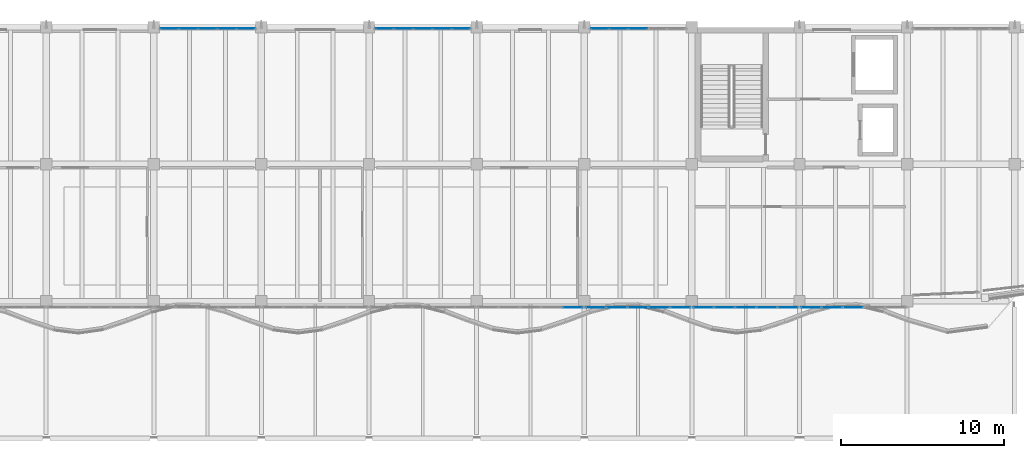
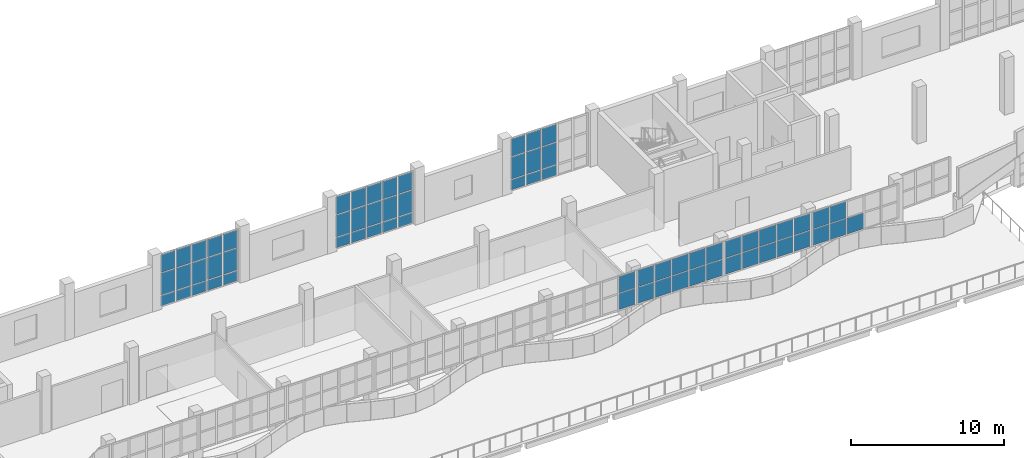
# One storey, part 41 of 83: 66 plates, 7 elements without a shape of their own.
"""IFC4 building model written with IfcOpenShell, lengths in metres."""

from ifc_helpers import new_model, si_unit, direction, frame, origin, origin_2d, place, context, subcontext, project, spatial, rectangle, extrude, material, layer, layer_set, type_object, element, aggregate, save


model = new_model("IFC4")

# Units and contexts
model_context = context("Model", 3, precision=1e-05, world=origin(), true_north=direction((0.0, 1.0)))
body_context = subcontext(model_context, "Body", "Model", "MODEL_VIEW")
ifc_project = project(units=[si_unit("LENGTHUNIT", "METRE"), si_unit("AREAUNIT", "SQUARE_METRE"), si_unit("VOLUMEUNIT", "CUBIC_METRE"), si_unit("PLANEANGLEUNIT", "RADIAN"), si_unit("MASSUNIT", "GRAM", prefix="KILO")], contexts=[model_context])

# Site, building, storey
site_placement = place(None, origin())
site = spatial("IfcSite", under=ifc_project, at=site_placement, CompositionType="ELEMENT")
building_placement = place(site_placement, origin())
building = spatial("IfcBuilding", under=site, at=building_placement, Name="Qaldarim Faculty of Natural and Applied Sciences", CompositionType="ELEMENT")
storey_placement = place(building_placement, frame((0.0, 0.0, 5.39990234375)))
storey = spatial("IfcBuildingStorey", under=building, at=storey_placement, Name="L01", CompositionType="ELEMENT", Elevation=5.39990234375)

# Curtain wall, plates
ifc_material_1 = material(Name="Anodised aluminium AW-6063", Category="aluminium")
curtain_wall_type_1 = type_object("IfcCurtainWallType", Name="CurtainWallSystem-M1200", PredefinedType="USERDEFINED", material=ifc_material_1)
curtain_wall_1_placement = place(storey_placement, origin())
curtain_wall_1 = element("IfcCurtainWall", 1, at=curtain_wall_1_placement, inside=storey, type_object=curtain_wall_type_1, Name="Curtain wall CW-L01-N-X11Y14", ObjectType="STICK CURTAIN WALL", PredefinedType="USERDEFINED")
ifc_material_2 = material(Name="Insulated low-e double glazing", Category="glass")
ifc_layer_1 = layer(ifc_material_2, 0.031982421875)
ifc_layer_set_1 = layer_set([ifc_layer_1], Name="Insulated low-e double glazing")
plate_type_1 = type_object("IfcPlateType", Name="SolarControlGlazingPanel-32", PredefinedType="CURTAIN_PANEL", material=ifc_layer_set_1)
plate_1_placement = place(storey_placement, frame((71.646484375, 117.52001953125, 0.070068359375), z_axis=(0.0, 0.0, 1.0), x_axis=(-1.0, 0.0, 0.0)))
plate_1 = element("IfcPlate", 2, at=plate_1_placement, type_object=plate_type_1, Name="Glazed panel 1-1 of CW-L01-N-X11Y14", PredefinedType="CURTAIN_PANEL", context=body_context, shape_type="SweptSolid", body=[
    extrude(rectangle(XDim=1.076904296875, YDim=0.031982421875, at=origin_2d()), origin(), (0.0, 0.0, 1.0), 0.794921875),
])
plate_2_placement = place(storey_placement, frame((71.646484375, 117.52001953125, 0.93505859375), z_axis=(0.0, 0.0, 1.0), x_axis=(-1.0, 0.0, 0.0)))
plate_2 = element("IfcPlate", 3, at=plate_2_placement, type_object=plate_type_1, Name="Glazed panel 1-2 of CW-L01-N-X11Y14", PredefinedType="CURTAIN_PANEL", context=body_context, shape_type="SweptSolid", body=[
    extrude(rectangle(XDim=1.076904296875, YDim=0.031982421875, at=origin_2d()), origin(), (0.0, 0.0, 1.0), 1.72998046875),
])
plate_3_placement = place(storey_placement, frame((71.646484375, 117.52001953125, 2.735107421875), z_axis=(0.0, 0.0, 1.0), x_axis=(-1.0, 0.0, 0.0)))
plate_3 = element("IfcPlate", 4, at=plate_3_placement, type_object=plate_type_1, Name="Glazed panel 1-3 of CW-L01-N-X11Y14", PredefinedType="CURTAIN_PANEL", context=body_context, shape_type="SweptSolid", body=[
    extrude(rectangle(XDim=1.076904296875, YDim=0.031982421875, at=origin_2d()), origin(), (0.0, 0.0, 1.0), 1.39501953125),
])
plate_4_placement = place(storey_placement, frame((70.48193359375, 117.52001953125, 0.070068359375), z_axis=(0.0, 0.0, 1.0), x_axis=(-1.0, 0.0, 0.0)))
plate_4 = element("IfcPlate", 5, at=plate_4_placement, type_object=plate_type_1, Name="Glazed panel 2-1 of CW-L01-N-X11Y14", PredefinedType="CURTAIN_PANEL", context=body_context, shape_type="SweptSolid", body=[
    extrude(rectangle(XDim=1.112060546875, YDim=0.031982421875, at=origin_2d()), origin(), (0.0, 0.0, 1.0), 0.794921875),
])
plate_5_placement = place(storey_placement, frame((70.48193359375, 117.52001953125, 0.93505859375), z_axis=(0.0, 0.0, 1.0), x_axis=(-1.0, 0.0, 0.0)))
plate_5 = element("IfcPlate", 6, at=plate_5_placement, type_object=plate_type_1, Name="Glazed panel 2-2 of CW-L01-N-X11Y14", PredefinedType="CURTAIN_PANEL", context=body_context, shape_type="SweptSolid", body=[
    extrude(rectangle(XDim=1.112060546875, YDim=0.031982421875, at=origin_2d()), origin(), (0.0, 0.0, 1.0), 1.72998046875),
])
plate_6_placement = place(storey_placement, frame((70.48193359375, 117.52001953125, 2.735107421875), z_axis=(0.0, 0.0, 1.0), x_axis=(-1.0, 0.0, 0.0)))
plate_6 = element("IfcPlate", 7, at=plate_6_placement, type_object=plate_type_1, Name="Glazed panel 2-3 of CW-L01-N-X11Y14", PredefinedType="CURTAIN_PANEL", context=body_context, shape_type="SweptSolid", body=[
    extrude(rectangle(XDim=1.112060546875, YDim=0.031982421875, at=origin_2d()), origin(), (0.0, 0.0, 1.0), 1.39501953125),
])
plate_7_placement = place(storey_placement, frame((69.300048828125, 117.52001953125, 0.070068359375), z_axis=(0.0, 0.0, 1.0), x_axis=(-1.0, 0.0, 0.0)))
plate_7 = element("IfcPlate", 8, at=plate_7_placement, type_object=plate_type_1, Name="Glazed panel 3-1 of CW-L01-N-X11Y14", PredefinedType="CURTAIN_PANEL", context=body_context, shape_type="SweptSolid", body=[
    extrude(rectangle(XDim=1.112060546875, YDim=0.031982421875, at=origin_2d()), origin(), (0.0, 0.0, 1.0), 0.794921875),
])
plate_8_placement = place(storey_placement, frame((69.300048828125, 117.52001953125, 0.93505859375), z_axis=(0.0, 0.0, 1.0), x_axis=(-1.0, 0.0, 0.0)))
plate_8 = element("IfcPlate", 9, at=plate_8_placement, type_object=plate_type_1, Name="Glazed panel 3-2 of CW-L01-N-X11Y14", PredefinedType="CURTAIN_PANEL", context=body_context, shape_type="SweptSolid", body=[
    extrude(rectangle(XDim=1.112060546875, YDim=0.031982421875, at=origin_2d()), origin(), (0.0, 0.0, 1.0), 1.72998046875),
])
plate_9_placement = place(storey_placement, frame((69.300048828125, 117.52001953125, 2.735107421875), z_axis=(0.0, 0.0, 1.0), x_axis=(-1.0, 0.0, 0.0)))
plate_9 = element("IfcPlate", 10, at=plate_9_placement, type_object=plate_type_1, Name="Glazed panel 3-3 of CW-L01-N-X11Y14", PredefinedType="CURTAIN_PANEL", context=body_context, shape_type="SweptSolid", body=[
    extrude(rectangle(XDim=1.112060546875, YDim=0.031982421875, at=origin_2d()), origin(), (0.0, 0.0, 1.0), 1.39501953125),
])
plate_10_placement = place(storey_placement, frame((68.117919921875, 117.52001953125, 0.070068359375), z_axis=(0.0, 0.0, 1.0), x_axis=(-1.0, 0.0, 0.0)))
plate_10 = element("IfcPlate", 11, at=plate_10_placement, type_object=plate_type_1, Name="Glazed panel 4-1 of CW-L01-N-X11Y14", PredefinedType="CURTAIN_PANEL", context=body_context, shape_type="SweptSolid", body=[
    extrude(rectangle(XDim=1.112060546875, YDim=0.031982421875, at=origin_2d()), origin(), (0.0, 0.0, 1.0), 0.794921875),
])
plate_11_placement = place(storey_placement, frame((68.117919921875, 117.52001953125, 0.93505859375), z_axis=(0.0, 0.0, 1.0), x_axis=(-1.0, 0.0, 0.0)))
plate_11 = element("IfcPlate", 12, at=plate_11_placement, type_object=plate_type_1, Name="Glazed panel 4-2 of CW-L01-N-X11Y14", PredefinedType="CURTAIN_PANEL", context=body_context, shape_type="SweptSolid", body=[
    extrude(rectangle(XDim=1.112060546875, YDim=0.031982421875, at=origin_2d()), origin(), (0.0, 0.0, 1.0), 1.72998046875),
])
plate_12_placement = place(storey_placement, frame((68.117919921875, 117.52001953125, 2.735107421875), z_axis=(0.0, 0.0, 1.0), x_axis=(-1.0, 0.0, 0.0)))
plate_12 = element("IfcPlate", 13, at=plate_12_placement, type_object=plate_type_1, Name="Glazed panel 4-3 of CW-L01-N-X11Y14", PredefinedType="CURTAIN_PANEL", context=body_context, shape_type="SweptSolid", body=[
    extrude(rectangle(XDim=1.112060546875, YDim=0.031982421875, at=origin_2d()), origin(), (0.0, 0.0, 1.0), 1.39501953125),
])
plate_13_placement = place(storey_placement, frame((66.95361328125, 117.52001953125, 0.070068359375), z_axis=(0.0, 0.0, 1.0), x_axis=(-1.0, 0.0, 0.0)))
plate_13 = element("IfcPlate", 14, at=plate_13_placement, type_object=plate_type_1, Name="Glazed panel 5-1 of CW-L01-N-X11Y14", PredefinedType="CURTAIN_PANEL", context=body_context, shape_type="SweptSolid", body=[
    extrude(rectangle(XDim=1.076904296875, YDim=0.031982421875, at=origin_2d()), origin(), (0.0, 0.0, 1.0), 0.794921875),
])
plate_14_placement = place(storey_placement, frame((66.95361328125, 117.52001953125, 0.93505859375), z_axis=(0.0, 0.0, 1.0), x_axis=(-1.0, 0.0, 0.0)))
plate_14 = element("IfcPlate", 15, at=plate_14_placement, type_object=plate_type_1, Name="Glazed panel 5-2 of CW-L01-N-X11Y14", PredefinedType="CURTAIN_PANEL", context=body_context, shape_type="SweptSolid", body=[
    extrude(rectangle(XDim=1.076904296875, YDim=0.031982421875, at=origin_2d()), origin(), (0.0, 0.0, 1.0), 1.72998046875),
])
plate_15_placement = place(storey_placement, frame((66.95361328125, 117.52001953125, 2.735107421875), z_axis=(0.0, 0.0, 1.0), x_axis=(-1.0, 0.0, 0.0)))
plate_15 = element("IfcPlate", 16, at=plate_15_placement, type_object=plate_type_1, Name="Glazed panel 5-3 of CW-L01-N-X11Y14", PredefinedType="CURTAIN_PANEL", context=body_context, shape_type="SweptSolid", body=[
    extrude(rectangle(XDim=1.076904296875, YDim=0.031982421875, at=origin_2d()), origin(), (0.0, 0.0, 1.0), 1.39501953125),
])
aggregate(curtain_wall_1, [plate_1, plate_2, plate_3, plate_4, plate_5, plate_6, plate_7, plate_8, plate_9, plate_10, plate_11, plate_12, plate_13, plate_14, plate_15])

curtain_wall_2_placement = place(storey_placement, origin())
curtain_wall_2 = element("IfcCurtainWall", 17, at=curtain_wall_2_placement, inside=storey, type_object=curtain_wall_type_1, Name="Curtain wall CW-L01-N-X13Y14", ObjectType="STICK CURTAIN WALL", PredefinedType="USERDEFINED")
plate_16_placement = place(storey_placement, frame((84.846435546875, 117.52001953125, 0.070068359375), z_axis=(0.0, 0.0, 1.0), x_axis=(-1.0, 0.0, 0.0)))
plate_16 = element("IfcPlate", 18, at=plate_16_placement, type_object=plate_type_1, Name="Glazed panel 1-1 of CW-L01-N-X13Y14", PredefinedType="CURTAIN_PANEL", context=body_context, shape_type="SweptSolid", body=[
    extrude(rectangle(XDim=1.076904296875, YDim=0.031982421875, at=origin_2d()), origin(), (0.0, 0.0, 1.0), 0.794921875),
])
plate_17_placement = place(storey_placement, frame((84.846435546875, 117.52001953125, 0.93505859375), z_axis=(0.0, 0.0, 1.0), x_axis=(-1.0, 0.0, 0.0)))
plate_17 = element("IfcPlate", 19, at=plate_17_placement, type_object=plate_type_1, Name="Glazed panel 1-2 of CW-L01-N-X13Y14", PredefinedType="CURTAIN_PANEL", context=body_context, shape_type="SweptSolid", body=[
    extrude(rectangle(XDim=1.076904296875, YDim=0.031982421875, at=origin_2d()), origin(), (0.0, 0.0, 1.0), 1.72998046875),
])
plate_18_placement = place(storey_placement, frame((84.846435546875, 117.52001953125, 2.735107421875), z_axis=(0.0, 0.0, 1.0), x_axis=(-1.0, 0.0, 0.0)))
plate_18 = element("IfcPlate", 20, at=plate_18_placement, type_object=plate_type_1, Name="Glazed panel 1-3 of CW-L01-N-X13Y14", PredefinedType="CURTAIN_PANEL", context=body_context, shape_type="SweptSolid", body=[
    extrude(rectangle(XDim=1.076904296875, YDim=0.031982421875, at=origin_2d()), origin(), (0.0, 0.0, 1.0), 1.39501953125),
])
plate_19_placement = place(storey_placement, frame((83.681884765625, 117.52001953125, 0.070068359375), z_axis=(0.0, 0.0, 1.0), x_axis=(-1.0, 0.0, 0.0)))
plate_19 = element("IfcPlate", 21, at=plate_19_placement, type_object=plate_type_1, Name="Glazed panel 2-1 of CW-L01-N-X13Y14", PredefinedType="CURTAIN_PANEL", context=body_context, shape_type="SweptSolid", body=[
    extrude(rectangle(XDim=1.112060546875, YDim=0.031982421875, at=origin_2d()), origin(), (0.0, 0.0, 1.0), 0.794921875),
])
plate_20_placement = place(storey_placement, frame((83.681884765625, 117.52001953125, 0.93505859375), z_axis=(0.0, 0.0, 1.0), x_axis=(-1.0, 0.0, 0.0)))
plate_20 = element("IfcPlate", 22, at=plate_20_placement, type_object=plate_type_1, Name="Glazed panel 2-2 of CW-L01-N-X13Y14", PredefinedType="CURTAIN_PANEL", context=body_context, shape_type="SweptSolid", body=[
    extrude(rectangle(XDim=1.112060546875, YDim=0.031982421875, at=origin_2d()), origin(), (0.0, 0.0, 1.0), 1.72998046875),
])
plate_21_placement = place(storey_placement, frame((83.681884765625, 117.52001953125, 2.735107421875), z_axis=(0.0, 0.0, 1.0), x_axis=(-1.0, 0.0, 0.0)))
plate_21 = element("IfcPlate", 23, at=plate_21_placement, type_object=plate_type_1, Name="Glazed panel 2-3 of CW-L01-N-X13Y14", PredefinedType="CURTAIN_PANEL", context=body_context, shape_type="SweptSolid", body=[
    extrude(rectangle(XDim=1.112060546875, YDim=0.031982421875, at=origin_2d()), origin(), (0.0, 0.0, 1.0), 1.39501953125),
])
plate_22_placement = place(storey_placement, frame((82.5, 117.52001953125, 0.070068359375), z_axis=(0.0, 0.0, 1.0), x_axis=(-1.0, 0.0, 0.0)))
plate_22 = element("IfcPlate", 24, at=plate_22_placement, type_object=plate_type_1, Name="Glazed panel 3-1 of CW-L01-N-X13Y14", PredefinedType="CURTAIN_PANEL", context=body_context, shape_type="SweptSolid", body=[
    extrude(rectangle(XDim=1.112060546875, YDim=0.031982421875, at=origin_2d()), origin(), (0.0, 0.0, 1.0), 0.794921875),
])
plate_23_placement = place(storey_placement, frame((82.5, 117.52001953125, 0.93505859375), z_axis=(0.0, 0.0, 1.0), x_axis=(-1.0, 0.0, 0.0)))
plate_23 = element("IfcPlate", 25, at=plate_23_placement, type_object=plate_type_1, Name="Glazed panel 3-2 of CW-L01-N-X13Y14", PredefinedType="CURTAIN_PANEL", context=body_context, shape_type="SweptSolid", body=[
    extrude(rectangle(XDim=1.112060546875, YDim=0.031982421875, at=origin_2d()), origin(), (0.0, 0.0, 1.0), 1.72998046875),
])
plate_24_placement = place(storey_placement, frame((82.5, 117.52001953125, 2.735107421875), z_axis=(0.0, 0.0, 1.0), x_axis=(-1.0, 0.0, 0.0)))
plate_24 = element("IfcPlate", 26, at=plate_24_placement, type_object=plate_type_1, Name="Glazed panel 3-3 of CW-L01-N-X13Y14", PredefinedType="CURTAIN_PANEL", context=body_context, shape_type="SweptSolid", body=[
    extrude(rectangle(XDim=1.112060546875, YDim=0.031982421875, at=origin_2d()), origin(), (0.0, 0.0, 1.0), 1.39501953125),
])
plate_25_placement = place(storey_placement, frame((81.318115234375, 117.52001953125, 0.070068359375), z_axis=(0.0, 0.0, 1.0), x_axis=(-1.0, 0.0, 0.0)))
plate_25 = element("IfcPlate", 27, at=plate_25_placement, type_object=plate_type_1, Name="Glazed panel 4-1 of CW-L01-N-X13Y14", PredefinedType="CURTAIN_PANEL", context=body_context, shape_type="SweptSolid", body=[
    extrude(rectangle(XDim=1.112060546875, YDim=0.031982421875, at=origin_2d()), origin(), (0.0, 0.0, 1.0), 0.794921875),
])
plate_26_placement = place(storey_placement, frame((81.318115234375, 117.52001953125, 0.93505859375), z_axis=(0.0, 0.0, 1.0), x_axis=(-1.0, 0.0, 0.0)))
plate_26 = element("IfcPlate", 28, at=plate_26_placement, type_object=plate_type_1, Name="Glazed panel 4-2 of CW-L01-N-X13Y14", PredefinedType="CURTAIN_PANEL", context=body_context, shape_type="SweptSolid", body=[
    extrude(rectangle(XDim=1.112060546875, YDim=0.031982421875, at=origin_2d()), origin(), (0.0, 0.0, 1.0), 1.72998046875),
])
plate_27_placement = place(storey_placement, frame((81.318115234375, 117.52001953125, 2.735107421875), z_axis=(0.0, 0.0, 1.0), x_axis=(-1.0, 0.0, 0.0)))
plate_27 = element("IfcPlate", 29, at=plate_27_placement, type_object=plate_type_1, Name="Glazed panel 4-3 of CW-L01-N-X13Y14", PredefinedType="CURTAIN_PANEL", context=body_context, shape_type="SweptSolid", body=[
    extrude(rectangle(XDim=1.112060546875, YDim=0.031982421875, at=origin_2d()), origin(), (0.0, 0.0, 1.0), 1.39501953125),
])
plate_28_placement = place(storey_placement, frame((80.153564453125, 117.52001953125, 0.070068359375), z_axis=(0.0, 0.0, 1.0), x_axis=(-1.0, 0.0, 0.0)))
plate_28 = element("IfcPlate", 30, at=plate_28_placement, type_object=plate_type_1, Name="Glazed panel 5-1 of CW-L01-N-X13Y14", PredefinedType="CURTAIN_PANEL", context=body_context, shape_type="SweptSolid", body=[
    extrude(rectangle(XDim=1.076904296875, YDim=0.031982421875, at=origin_2d()), origin(), (0.0, 0.0, 1.0), 0.794921875),
])
plate_29_placement = place(storey_placement, frame((80.153564453125, 117.52001953125, 0.93505859375), z_axis=(0.0, 0.0, 1.0), x_axis=(-1.0, 0.0, 0.0)))
plate_29 = element("IfcPlate", 31, at=plate_29_placement, type_object=plate_type_1, Name="Glazed panel 5-2 of CW-L01-N-X13Y14", PredefinedType="CURTAIN_PANEL", context=body_context, shape_type="SweptSolid", body=[
    extrude(rectangle(XDim=1.076904296875, YDim=0.031982421875, at=origin_2d()), origin(), (0.0, 0.0, 1.0), 1.72998046875),
])
plate_30_placement = place(storey_placement, frame((80.153564453125, 117.52001953125, 2.735107421875), z_axis=(0.0, 0.0, 1.0), x_axis=(-1.0, 0.0, 0.0)))
plate_30 = element("IfcPlate", 32, at=plate_30_placement, type_object=plate_type_1, Name="Glazed panel 5-3 of CW-L01-N-X13Y14", PredefinedType="CURTAIN_PANEL", context=body_context, shape_type="SweptSolid", body=[
    extrude(rectangle(XDim=1.076904296875, YDim=0.031982421875, at=origin_2d()), origin(), (0.0, 0.0, 1.0), 1.39501953125),
])
aggregate(curtain_wall_2, [plate_16, plate_17, plate_18, plate_19, plate_20, plate_21, plate_22, plate_23, plate_24, plate_25, plate_26, plate_27, plate_28, plate_29, plate_30])

curtain_wall_3_placement = place(storey_placement, origin())
curtain_wall_3 = element("IfcCurtainWall", 33, at=curtain_wall_3_placement, inside=storey, type_object=curtain_wall_type_1, Name="Curtain wall CW-L01-N-X15Y14", ObjectType="STICK CURTAIN WALL", PredefinedType="USERDEFINED")
plate_31_placement = place(storey_placement, frame((95.699951171875, 117.52001953125, 0.070068359375), z_axis=(0.0, 0.0, 1.0), x_axis=(-1.0, 0.0, 0.0)))
plate_31 = element("IfcPlate", 34, at=plate_31_placement, type_object=plate_type_1, Name="Glazed panel 3-1 of CW-L01-N-X15Y14", PredefinedType="CURTAIN_PANEL", context=body_context, shape_type="SweptSolid", body=[
    extrude(rectangle(XDim=1.112060546875, YDim=0.031982421875, at=origin_2d()), origin(), (0.0, 0.0, 1.0), 0.794921875),
])
plate_32_placement = place(storey_placement, frame((95.699951171875, 117.52001953125, 0.93505859375), z_axis=(0.0, 0.0, 1.0), x_axis=(-1.0, 0.0, 0.0)))
plate_32 = element("IfcPlate", 35, at=plate_32_placement, type_object=plate_type_1, Name="Glazed panel 3-2 of CW-L01-N-X15Y14", PredefinedType="CURTAIN_PANEL", context=body_context, shape_type="SweptSolid", body=[
    extrude(rectangle(XDim=1.112060546875, YDim=0.031982421875, at=origin_2d()), origin(), (0.0, 0.0, 1.0), 1.72998046875),
])
plate_33_placement = place(storey_placement, frame((95.699951171875, 117.52001953125, 2.735107421875), z_axis=(0.0, 0.0, 1.0), x_axis=(-1.0, 0.0, 0.0)))
plate_33 = element("IfcPlate", 36, at=plate_33_placement, type_object=plate_type_1, Name="Glazed panel 3-3 of CW-L01-N-X15Y14", PredefinedType="CURTAIN_PANEL", context=body_context, shape_type="SweptSolid", body=[
    extrude(rectangle(XDim=1.112060546875, YDim=0.031982421875, at=origin_2d()), origin(), (0.0, 0.0, 1.0), 1.39501953125),
])
plate_34_placement = place(storey_placement, frame((94.51806640625, 117.52001953125, 0.070068359375), z_axis=(0.0, 0.0, 1.0), x_axis=(-1.0, 0.0, 0.0)))
plate_34 = element("IfcPlate", 37, at=plate_34_placement, type_object=plate_type_1, Name="Glazed panel 4-1 of CW-L01-N-X15Y14", PredefinedType="CURTAIN_PANEL", context=body_context, shape_type="SweptSolid", body=[
    extrude(rectangle(XDim=1.112060546875, YDim=0.031982421875, at=origin_2d()), origin(), (0.0, 0.0, 1.0), 0.794921875),
])
plate_35_placement = place(storey_placement, frame((94.51806640625, 117.52001953125, 0.93505859375), z_axis=(0.0, 0.0, 1.0), x_axis=(-1.0, 0.0, 0.0)))
plate_35 = element("IfcPlate", 38, at=plate_35_placement, type_object=plate_type_1, Name="Glazed panel 4-2 of CW-L01-N-X15Y14", PredefinedType="CURTAIN_PANEL", context=body_context, shape_type="SweptSolid", body=[
    extrude(rectangle(XDim=1.112060546875, YDim=0.031982421875, at=origin_2d()), origin(), (0.0, 0.0, 1.0), 1.72998046875),
])
plate_36_placement = place(storey_placement, frame((94.51806640625, 117.52001953125, 2.735107421875), z_axis=(0.0, 0.0, 1.0), x_axis=(-1.0, 0.0, 0.0)))
plate_36 = element("IfcPlate", 39, at=plate_36_placement, type_object=plate_type_1, Name="Glazed panel 4-3 of CW-L01-N-X15Y14", PredefinedType="CURTAIN_PANEL", context=body_context, shape_type="SweptSolid", body=[
    extrude(rectangle(XDim=1.112060546875, YDim=0.031982421875, at=origin_2d()), origin(), (0.0, 0.0, 1.0), 1.39501953125),
])
plate_37_placement = place(storey_placement, frame((93.353515625, 117.52001953125, 0.070068359375), z_axis=(0.0, 0.0, 1.0), x_axis=(-1.0, 0.0, 0.0)))
plate_37 = element("IfcPlate", 40, at=plate_37_placement, type_object=plate_type_1, Name="Glazed panel 5-1 of CW-L01-N-X15Y14", PredefinedType="CURTAIN_PANEL", context=body_context, shape_type="SweptSolid", body=[
    extrude(rectangle(XDim=1.076904296875, YDim=0.031982421875, at=origin_2d()), origin(), (0.0, 0.0, 1.0), 0.794921875),
])
plate_38_placement = place(storey_placement, frame((93.353515625, 117.52001953125, 0.93505859375), z_axis=(0.0, 0.0, 1.0), x_axis=(-1.0, 0.0, 0.0)))
plate_38 = element("IfcPlate", 41, at=plate_38_placement, type_object=plate_type_1, Name="Glazed panel 5-2 of CW-L01-N-X15Y14", PredefinedType="CURTAIN_PANEL", context=body_context, shape_type="SweptSolid", body=[
    extrude(rectangle(XDim=1.076904296875, YDim=0.031982421875, at=origin_2d()), origin(), (0.0, 0.0, 1.0), 1.72998046875),
])
plate_39_placement = place(storey_placement, frame((93.353515625, 117.52001953125, 2.735107421875), z_axis=(0.0, 0.0, 1.0), x_axis=(-1.0, 0.0, 0.0)))
plate_39 = element("IfcPlate", 42, at=plate_39_placement, type_object=plate_type_1, Name="Glazed panel 5-3 of CW-L01-N-X15Y14", PredefinedType="CURTAIN_PANEL", context=body_context, shape_type="SweptSolid", body=[
    extrude(rectangle(XDim=1.076904296875, YDim=0.031982421875, at=origin_2d()), origin(), (0.0, 0.0, 1.0), 1.39501953125),
])
aggregate(curtain_wall_3, [plate_31, plate_32, plate_33, plate_34, plate_35, plate_36, plate_37, plate_38, plate_39])

curtain_wall_type_2 = type_object("IfcCurtainWallType", Name="CurtainWallSystem-M1400", PredefinedType="USERDEFINED", material=ifc_material_1)
curtain_wall_4_placement = place(storey_placement, origin())
curtain_wall_4 = element("IfcCurtainWall", 43, at=curtain_wall_4_placement, inside=storey, type_object=curtain_wall_type_2, Name="Curtain wall CW-V4RIB-L01-X14", ObjectType="STICK CURTAIN WALL", PredefinedType="USERDEFINED")
ifc_layer_2 = layer(ifc_material_2, 0.028076171875)
ifc_layer_set_2 = layer_set([ifc_layer_2], Name="Insulated low-e double glazing")
plate_type_2 = type_object("IfcPlateType", Name="VisionGlazingPanel-28", PredefinedType="CURTAIN_PANEL", material=ifc_layer_set_2)
plate_40_placement = place(storey_placement, frame((91.693115234375, 100.419921875, 1.51025390625), z_axis=(0.0, 0.0, 1.0), x_axis=(1.0, 0.0, 0.0)))
plate_40 = element("IfcPlate", 44, at=plate_40_placement, type_object=plate_type_2, Name="Glazed panel 5-1 of CW-V4RIB-L01-X14", PredefinedType="CURTAIN_PANEL", context=body_context, shape_type="SweptSolid", body=[
    extrude(rectangle(XDim=1.214111328125, YDim=0.028076171875, at=origin_2d()), origin(), (0.0, 0.0, 1.0), 1.260009765625),
])
plate_41_placement = place(storey_placement, frame((91.693115234375, 100.419921875, 2.830078125), z_axis=(0.0, 0.0, 1.0), x_axis=(1.0, 0.0, 0.0)))
plate_41 = element("IfcPlate", 45, at=plate_41_placement, type_object=plate_type_2, Name="Glazed panel 5-2 of CW-V4RIB-L01-X14", PredefinedType="CURTAIN_PANEL", context=body_context, shape_type="SweptSolid", body=[
    extrude(rectangle(XDim=1.214111328125, YDim=0.028076171875, at=origin_2d()), origin(), (0.0, 0.0, 1.0), 1.31005859375),
])
aggregate(curtain_wall_4, [plate_40, plate_41])

curtain_wall_5_placement = place(storey_placement, origin())
curtain_wall_5 = element("IfcCurtainWall", 46, at=curtain_wall_5_placement, inside=storey, type_object=curtain_wall_type_2, Name="Curtain wall CW-V4RIB-L01-X15", ObjectType="STICK CURTAIN WALL", PredefinedType="USERDEFINED")
plate_42_placement = place(storey_placement, frame((93.10693359375, 100.419921875, 1.51025390625), z_axis=(0.0, 0.0, 1.0), x_axis=(1.0, 0.0, 0.0)))
plate_42 = element("IfcPlate", 47, at=plate_42_placement, type_object=plate_type_2, Name="Glazed panel 1-1 of CW-V4RIB-L01-X15", PredefinedType="CURTAIN_PANEL", context=body_context, shape_type="SweptSolid", body=[
    extrude(rectangle(XDim=1.214111328125, YDim=0.028076171875, at=origin_2d()), origin(), (0.0, 0.0, 1.0), 1.260009765625),
])
plate_43_placement = place(storey_placement, frame((93.10693359375, 100.419921875, 2.830078125), z_axis=(0.0, 0.0, 1.0), x_axis=(1.0, 0.0, 0.0)))
plate_43 = element("IfcPlate", 48, at=plate_43_placement, type_object=plate_type_2, Name="Glazed panel 1-2 of CW-V4RIB-L01-X15", PredefinedType="CURTAIN_PANEL", context=body_context, shape_type="SweptSolid", body=[
    extrude(rectangle(XDim=1.214111328125, YDim=0.028076171875, at=origin_2d()), origin(), (0.0, 0.0, 1.0), 1.31005859375),
])
plate_44_placement = place(storey_placement, frame((94.39599609375, 100.419921875, 1.51025390625), z_axis=(0.0, 0.0, 1.0), x_axis=(1.0, 0.0, 0.0)))
plate_44 = element("IfcPlate", 49, at=plate_44_placement, type_object=plate_type_2, Name="Glazed panel 2-1 of CW-V4RIB-L01-X15", PredefinedType="CURTAIN_PANEL", context=body_context, shape_type="SweptSolid", body=[
    extrude(rectangle(XDim=1.243896484375, YDim=0.028076171875, at=origin_2d()), origin(), (0.0, 0.0, 1.0), 1.260009765625),
])
plate_45_placement = place(storey_placement, frame((94.39599609375, 100.419921875, 2.830078125), z_axis=(0.0, 0.0, 1.0), x_axis=(1.0, 0.0, 0.0)))
plate_45 = element("IfcPlate", 50, at=plate_45_placement, type_object=plate_type_2, Name="Glazed panel 2-2 of CW-V4RIB-L01-X15", PredefinedType="CURTAIN_PANEL", context=body_context, shape_type="SweptSolid", body=[
    extrude(rectangle(XDim=1.243896484375, YDim=0.028076171875, at=origin_2d()), origin(), (0.0, 0.0, 1.0), 1.31005859375),
])
plate_46_placement = place(storey_placement, frame((95.699951171875, 100.419921875, 1.51025390625), z_axis=(0.0, 0.0, 1.0), x_axis=(1.0, 0.0, 0.0)))
plate_46 = element("IfcPlate", 51, at=plate_46_placement, type_object=plate_type_2, Name="Glazed panel 3-1 of CW-V4RIB-L01-X15", PredefinedType="CURTAIN_PANEL", context=body_context, shape_type="SweptSolid", body=[
    extrude(rectangle(XDim=1.243896484375, YDim=0.028076171875, at=origin_2d()), origin(), (0.0, 0.0, 1.0), 1.260009765625),
])
plate_47_placement = place(storey_placement, frame((95.699951171875, 100.419921875, 2.830078125), z_axis=(0.0, 0.0, 1.0), x_axis=(1.0, 0.0, 0.0)))
plate_47 = element("IfcPlate", 52, at=plate_47_placement, type_object=plate_type_2, Name="Glazed panel 3-2 of CW-V4RIB-L01-X15", PredefinedType="CURTAIN_PANEL", context=body_context, shape_type="SweptSolid", body=[
    extrude(rectangle(XDim=1.243896484375, YDim=0.028076171875, at=origin_2d()), origin(), (0.0, 0.0, 1.0), 1.31005859375),
])
plate_48_placement = place(storey_placement, frame((97.00390625, 100.419921875, 1.51025390625), z_axis=(0.0, 0.0, 1.0), x_axis=(1.0, 0.0, 0.0)))
plate_48 = element("IfcPlate", 53, at=plate_48_placement, type_object=plate_type_2, Name="Glazed panel 4-1 of CW-V4RIB-L01-X15", PredefinedType="CURTAIN_PANEL", context=body_context, shape_type="SweptSolid", body=[
    extrude(rectangle(XDim=1.243896484375, YDim=0.028076171875, at=origin_2d()), origin(), (0.0, 0.0, 1.0), 1.260009765625),
])
plate_49_placement = place(storey_placement, frame((97.00390625, 100.419921875, 2.830078125), z_axis=(0.0, 0.0, 1.0), x_axis=(1.0, 0.0, 0.0)))
plate_49 = element("IfcPlate", 54, at=plate_49_placement, type_object=plate_type_2, Name="Glazed panel 4-2 of CW-V4RIB-L01-X15", PredefinedType="CURTAIN_PANEL", context=body_context, shape_type="SweptSolid", body=[
    extrude(rectangle(XDim=1.243896484375, YDim=0.028076171875, at=origin_2d()), origin(), (0.0, 0.0, 1.0), 1.31005859375),
])
plate_50_placement = place(storey_placement, frame((98.29296875, 100.419921875, 1.51025390625), z_axis=(0.0, 0.0, 1.0), x_axis=(1.0, 0.0, 0.0)))
plate_50 = element("IfcPlate", 55, at=plate_50_placement, type_object=plate_type_2, Name="Glazed panel 5-1 of CW-V4RIB-L01-X15", PredefinedType="CURTAIN_PANEL", context=body_context, shape_type="SweptSolid", body=[
    extrude(rectangle(XDim=1.214111328125, YDim=0.028076171875, at=origin_2d()), origin(), (0.0, 0.0, 1.0), 1.260009765625),
])
plate_51_placement = place(storey_placement, frame((98.29296875, 100.419921875, 2.830078125), z_axis=(0.0, 0.0, 1.0), x_axis=(1.0, 0.0, 0.0)))
plate_51 = element("IfcPlate", 56, at=plate_51_placement, type_object=plate_type_2, Name="Glazed panel 5-2 of CW-V4RIB-L01-X15", PredefinedType="CURTAIN_PANEL", context=body_context, shape_type="SweptSolid", body=[
    extrude(rectangle(XDim=1.214111328125, YDim=0.028076171875, at=origin_2d()), origin(), (0.0, 0.0, 1.0), 1.31005859375),
])
aggregate(curtain_wall_5, [plate_42, plate_43, plate_44, plate_45, plate_46, plate_47, plate_48, plate_49, plate_50, plate_51])

curtain_wall_6_placement = place(storey_placement, origin())
curtain_wall_6 = element("IfcCurtainWall", 57, at=curtain_wall_6_placement, inside=storey, type_object=curtain_wall_type_2, Name="Curtain wall CW-V4RIB-L01-X16", ObjectType="STICK CURTAIN WALL", PredefinedType="USERDEFINED")
plate_52_placement = place(storey_placement, frame((99.70703125, 100.419921875, 1.51025390625), z_axis=(0.0, 0.0, 1.0), x_axis=(1.0, 0.0, 0.0)))
plate_52 = element("IfcPlate", 58, at=plate_52_placement, type_object=plate_type_2, Name="Glazed panel 1-1 of CW-V4RIB-L01-X16", PredefinedType="CURTAIN_PANEL", context=body_context, shape_type="SweptSolid", body=[
    extrude(rectangle(XDim=1.214111328125, YDim=0.028076171875, at=origin_2d()), origin(), (0.0, 0.0, 1.0), 1.260009765625),
])
plate_53_placement = place(storey_placement, frame((99.70703125, 100.419921875, 2.830078125), z_axis=(0.0, 0.0, 1.0), x_axis=(1.0, 0.0, 0.0)))
plate_53 = element("IfcPlate", 59, at=plate_53_placement, type_object=plate_type_2, Name="Glazed panel 1-2 of CW-V4RIB-L01-X16", PredefinedType="CURTAIN_PANEL", context=body_context, shape_type="SweptSolid", body=[
    extrude(rectangle(XDim=1.214111328125, YDim=0.028076171875, at=origin_2d()), origin(), (0.0, 0.0, 1.0), 1.31005859375),
])
plate_54_placement = place(storey_placement, frame((100.99609375, 100.419921875, 1.51025390625), z_axis=(0.0, 0.0, 1.0), x_axis=(1.0, 0.0, 0.0)))
plate_54 = element("IfcPlate", 60, at=plate_54_placement, type_object=plate_type_2, Name="Glazed panel 2-1 of CW-V4RIB-L01-X16", PredefinedType="CURTAIN_PANEL", context=body_context, shape_type="SweptSolid", body=[
    extrude(rectangle(XDim=1.243896484375, YDim=0.028076171875, at=origin_2d()), origin(), (0.0, 0.0, 1.0), 1.260009765625),
])
plate_55_placement = place(storey_placement, frame((100.99609375, 100.419921875, 2.830078125), z_axis=(0.0, 0.0, 1.0), x_axis=(1.0, 0.0, 0.0)))
plate_55 = element("IfcPlate", 61, at=plate_55_placement, type_object=plate_type_2, Name="Glazed panel 2-2 of CW-V4RIB-L01-X16", PredefinedType="CURTAIN_PANEL", context=body_context, shape_type="SweptSolid", body=[
    extrude(rectangle(XDim=1.243896484375, YDim=0.028076171875, at=origin_2d()), origin(), (0.0, 0.0, 1.0), 1.31005859375),
])
plate_56_placement = place(storey_placement, frame((102.300048828125, 100.419921875, 1.51025390625), z_axis=(0.0, 0.0, 1.0), x_axis=(1.0, 0.0, 0.0)))
plate_56 = element("IfcPlate", 62, at=plate_56_placement, type_object=plate_type_2, Name="Glazed panel 3-1 of CW-V4RIB-L01-X16", PredefinedType="CURTAIN_PANEL", context=body_context, shape_type="SweptSolid", body=[
    extrude(rectangle(XDim=1.243896484375, YDim=0.028076171875, at=origin_2d()), origin(), (0.0, 0.0, 1.0), 1.260009765625),
])
plate_57_placement = place(storey_placement, frame((102.300048828125, 100.419921875, 2.830078125), z_axis=(0.0, 0.0, 1.0), x_axis=(1.0, 0.0, 0.0)))
plate_57 = element("IfcPlate", 63, at=plate_57_placement, type_object=plate_type_2, Name="Glazed panel 3-2 of CW-V4RIB-L01-X16", PredefinedType="CURTAIN_PANEL", context=body_context, shape_type="SweptSolid", body=[
    extrude(rectangle(XDim=1.243896484375, YDim=0.028076171875, at=origin_2d()), origin(), (0.0, 0.0, 1.0), 1.31005859375),
])
plate_58_placement = place(storey_placement, frame((103.60400390625, 100.419921875, 1.51025390625), z_axis=(0.0, 0.0, 1.0), x_axis=(1.0, 0.0, 0.0)))
plate_58 = element("IfcPlate", 64, at=plate_58_placement, type_object=plate_type_2, Name="Glazed panel 4-1 of CW-V4RIB-L01-X16", PredefinedType="CURTAIN_PANEL", context=body_context, shape_type="SweptSolid", body=[
    extrude(rectangle(XDim=1.243896484375, YDim=0.028076171875, at=origin_2d()), origin(), (0.0, 0.0, 1.0), 1.260009765625),
])
plate_59_placement = place(storey_placement, frame((103.60400390625, 100.419921875, 2.830078125), z_axis=(0.0, 0.0, 1.0), x_axis=(1.0, 0.0, 0.0)))
plate_59 = element("IfcPlate", 65, at=plate_59_placement, type_object=plate_type_2, Name="Glazed panel 4-2 of CW-V4RIB-L01-X16", PredefinedType="CURTAIN_PANEL", context=body_context, shape_type="SweptSolid", body=[
    extrude(rectangle(XDim=1.243896484375, YDim=0.028076171875, at=origin_2d()), origin(), (0.0, 0.0, 1.0), 1.31005859375),
])
plate_60_placement = place(storey_placement, frame((104.89306640625, 100.419921875, 1.51025390625), z_axis=(0.0, 0.0, 1.0), x_axis=(1.0, 0.0, 0.0)))
plate_60 = element("IfcPlate", 66, at=plate_60_placement, type_object=plate_type_2, Name="Glazed panel 5-1 of CW-V4RIB-L01-X16", PredefinedType="CURTAIN_PANEL", context=body_context, shape_type="SweptSolid", body=[
    extrude(rectangle(XDim=1.214111328125, YDim=0.028076171875, at=origin_2d()), origin(), (0.0, 0.0, 1.0), 1.260009765625),
])
plate_61_placement = place(storey_placement, frame((104.89306640625, 100.419921875, 2.830078125), z_axis=(0.0, 0.0, 1.0), x_axis=(1.0, 0.0, 0.0)))
plate_61 = element("IfcPlate", 67, at=plate_61_placement, type_object=plate_type_2, Name="Glazed panel 5-2 of CW-V4RIB-L01-X16", PredefinedType="CURTAIN_PANEL", context=body_context, shape_type="SweptSolid", body=[
    extrude(rectangle(XDim=1.214111328125, YDim=0.028076171875, at=origin_2d()), origin(), (0.0, 0.0, 1.0), 1.31005859375),
])
aggregate(curtain_wall_6, [plate_52, plate_53, plate_54, plate_55, plate_56, plate_57, plate_58, plate_59, plate_60, plate_61])

curtain_wall_7_placement = place(storey_placement, origin())
curtain_wall_7 = element("IfcCurtainWall", 68, at=curtain_wall_7_placement, inside=storey, type_object=curtain_wall_type_2, Name="Curtain wall CW-V4RIB-L01-X17", ObjectType="STICK CURTAIN WALL", PredefinedType="USERDEFINED")
plate_62_placement = place(storey_placement, frame((106.306884765625, 100.419921875, 1.51025390625), z_axis=(0.0, 0.0, 1.0), x_axis=(1.0, 0.0, 0.0)))
plate_62 = element("IfcPlate", 69, at=plate_62_placement, type_object=plate_type_2, Name="Glazed panel 1-1 of CW-V4RIB-L01-X17", PredefinedType="CURTAIN_PANEL", context=body_context, shape_type="SweptSolid", body=[
    extrude(rectangle(XDim=1.214111328125, YDim=0.028076171875, at=origin_2d()), origin(), (0.0, 0.0, 1.0), 1.260009765625),
])
plate_63_placement = place(storey_placement, frame((106.306884765625, 100.419921875, 2.830078125), z_axis=(0.0, 0.0, 1.0), x_axis=(1.0, 0.0, 0.0)))
plate_63 = element("IfcPlate", 70, at=plate_63_placement, type_object=plate_type_2, Name="Glazed panel 1-2 of CW-V4RIB-L01-X17", PredefinedType="CURTAIN_PANEL", context=body_context, shape_type="SweptSolid", body=[
    extrude(rectangle(XDim=1.214111328125, YDim=0.028076171875, at=origin_2d()), origin(), (0.0, 0.0, 1.0), 1.31005859375),
])
plate_64_placement = place(storey_placement, frame((107.595947265625, 100.419921875, 1.51025390625), z_axis=(0.0, 0.0, 1.0), x_axis=(1.0, 0.0, 0.0)))
plate_64 = element("IfcPlate", 71, at=plate_64_placement, type_object=plate_type_2, Name="Glazed panel 2-1 of CW-V4RIB-L01-X17", PredefinedType="CURTAIN_PANEL", context=body_context, shape_type="SweptSolid", body=[
    extrude(rectangle(XDim=1.243896484375, YDim=0.028076171875, at=origin_2d()), origin(), (0.0, 0.0, 1.0), 1.260009765625),
])
plate_65_placement = place(storey_placement, frame((107.595947265625, 100.419921875, 2.830078125), z_axis=(0.0, 0.0, 1.0), x_axis=(1.0, 0.0, 0.0)))
plate_65 = element("IfcPlate", 72, at=plate_65_placement, type_object=plate_type_2, Name="Glazed panel 2-2 of CW-V4RIB-L01-X17", PredefinedType="CURTAIN_PANEL", context=body_context, shape_type="SweptSolid", body=[
    extrude(rectangle(XDim=1.243896484375, YDim=0.028076171875, at=origin_2d()), origin(), (0.0, 0.0, 1.0), 1.31005859375),
])
plate_66_placement = place(storey_placement, frame((108.89990234375, 100.419921875, 1.51025390625), z_axis=(0.0, 0.0, 1.0), x_axis=(1.0, 0.0, 0.0)))
plate_66 = element("IfcPlate", 73, at=plate_66_placement, type_object=plate_type_2, Name="Glazed panel 3-1 of CW-V4RIB-L01-X17", PredefinedType="CURTAIN_PANEL", context=body_context, shape_type="SweptSolid", body=[
    extrude(rectangle(XDim=1.243896484375, YDim=0.028076171875, at=origin_2d()), origin(), (0.0, 0.0, 1.0), 1.260009765625),
])
aggregate(curtain_wall_7, [plate_62, plate_63, plate_64, plate_65, plate_66])

save(model, "model.ifc")
